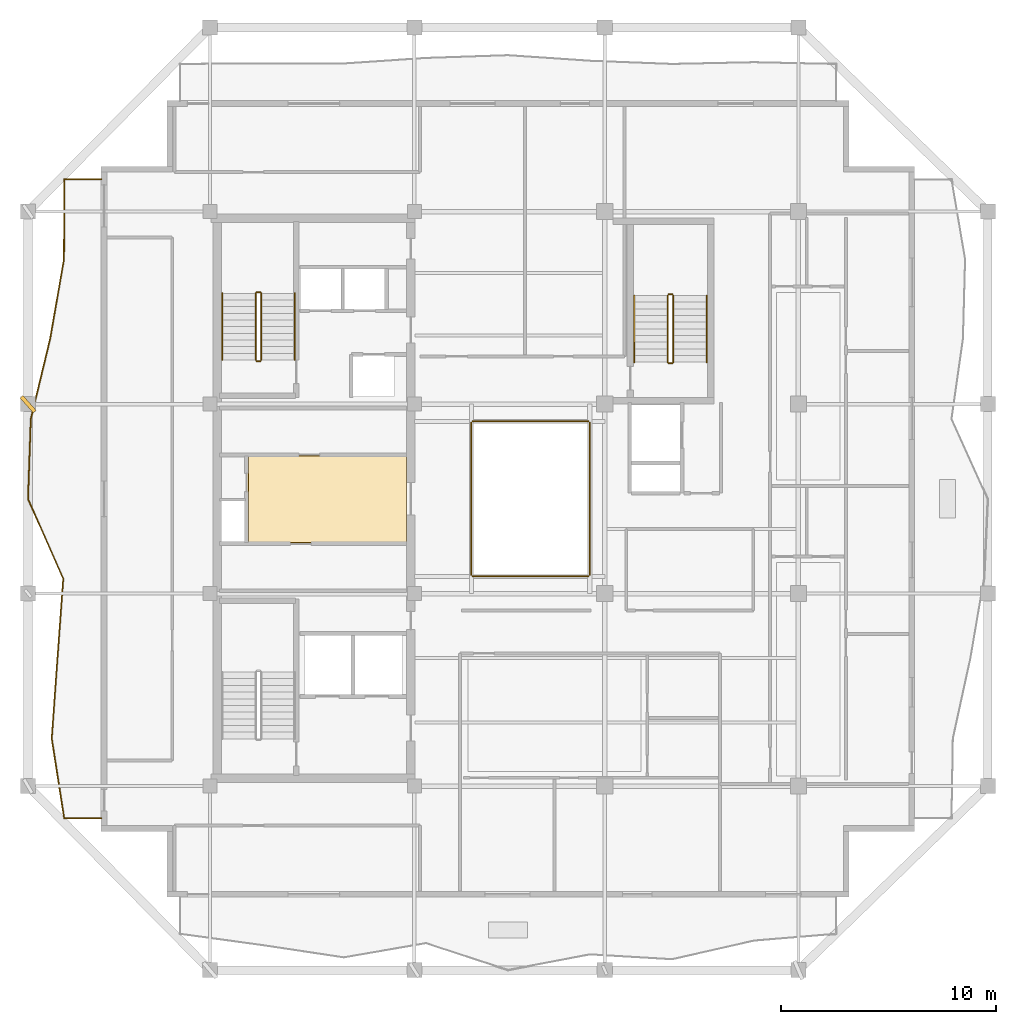
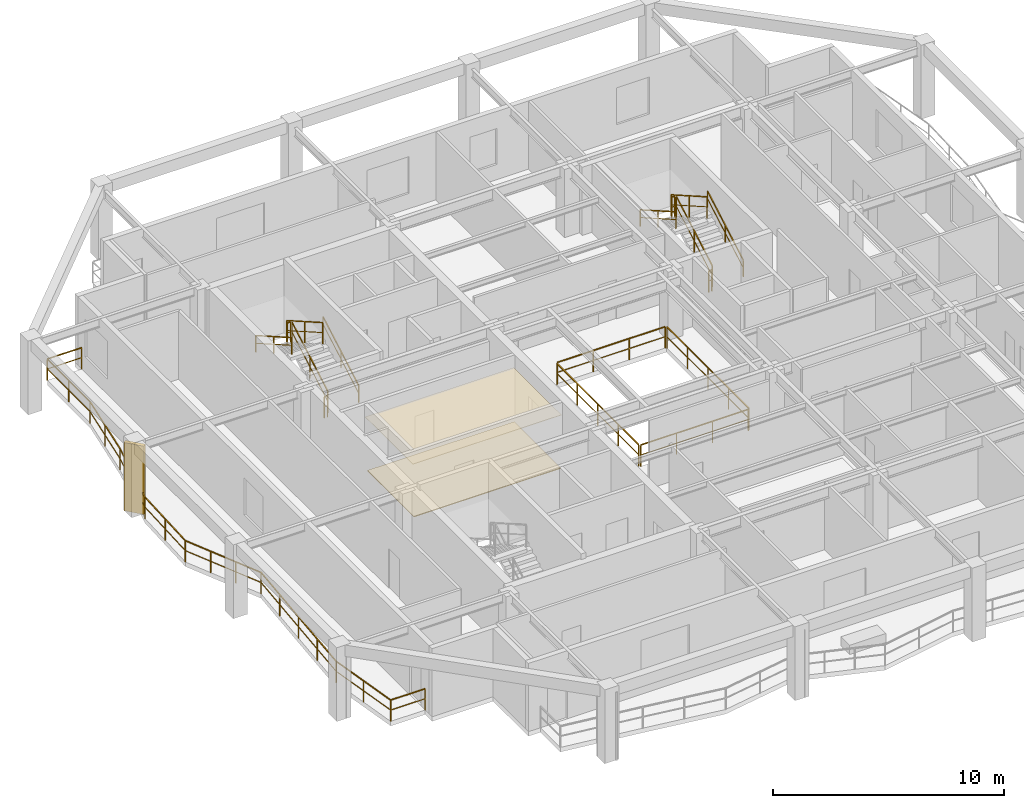
# One storey, part 8 of 10: 17 railings, 2 coverings, 1 shading device.
"""IFC4 building model written with IfcOpenShell, lengths in metres."""

from ifc_helpers import new_model, si_unit, direction, frame, origin, origin_2d, place, context, subcontext, project, spatial, polyline, rectangle, outline, extrude, material, layer, layer_set, type_object, element, save


model = new_model("IFC4")

# Units and contexts
model_context = context("Model", 3, precision=1e-05, world=origin(), true_north=direction((0.0, 1.0)))
body_context = subcontext(model_context, "Body", "Model", "MODEL_VIEW")
ifc_project = project(units=[si_unit("LENGTHUNIT", "METRE"), si_unit("AREAUNIT", "SQUARE_METRE"), si_unit("VOLUMEUNIT", "CUBIC_METRE"), si_unit("PLANEANGLEUNIT", "RADIAN"), si_unit("MASSUNIT", "GRAM", prefix="KILO")], contexts=[model_context])

# Site, building, storey
site_placement = place(None, origin())
site = spatial("IfcSite", under=ifc_project, at=site_placement, CompositionType="ELEMENT")
building_placement = place(site_placement, origin())
building = spatial("IfcBuilding", under=site, at=building_placement, Name="Kundavana Baori Tower", CompositionType="ELEMENT")
storey_placement = place(building_placement, frame((0.0, 0.0, 303.800048828125)))
storey = spatial("IfcBuildingStorey", under=building, at=storey_placement, Name="L75", CompositionType="ELEMENT", Elevation=303.800048828125)

# Coverings
ifc_material_1 = material(Name="Honed Kota Stone and Terrazzo Flooring", Category="masonry")
ifc_layer_1 = layer(ifc_material_1, 0.0400390625, Name="COV-FLR-TERR-40")
ifc_layer_set_1 = layer_set([ifc_layer_1], Name="Honed Kota Stone and Terrazzo Flooring")
covering_type_1 = type_object("IfcCoveringType", Name="COV-FLR-TERR-40", PredefinedType="FLOORING", material=ifc_layer_set_1)
covering_1_placement = place(storey_placement, origin())
element("IfcCovering", 1, at=covering_1_placement, inside=storey, type_object=covering_type_1, Name="L75 Core Lift Lobby Kota Stone Flooring", PredefinedType="FLOORING", context=body_context, shape_type="SweptSolid", body=[
    extrude(outline(polyline([(17.25, 26.580078125), (24.580078125, 26.580078125), (24.580078125, 30.60009765625), (17.25, 30.60009765625), (17.25, 26.580078125)])), origin(), (0.0, 0.0, 1.0), 0.0400390625),
])
ifc_material_2 = material(Name="Perforated Acoustic Mineral Fibre Ceiling Board")
ifc_layer_2 = layer(ifc_material_2, 0.02490234375, Name="COV-INT-CEIL")
ifc_layer_set_2 = layer_set([ifc_layer_2], Name="Perforated Acoustic Mineral Fibre Ceiling Board")
covering_type_2 = type_object("IfcCoveringType", Name="COV-INT-CEIL", PredefinedType="CEILING", material=ifc_layer_set_2)
covering_2_placement = place(storey_placement, frame((0.0, 0.0, 2.849853515625)))
element("IfcCovering", 2, at=covering_2_placement, inside=storey, type_object=covering_type_2, Name="L75 Core Lift Lobby Acoustic Ceiling", PredefinedType="CEILING", context=body_context, shape_type="SweptSolid", body=[
    extrude(outline(polyline([(17.159912109375, 26.52001953125), (24.580078125, 26.52001953125), (24.580078125, 30.639892578125), (17.159912109375, 30.639892578125), (17.159912109375, 26.52001953125)])), origin(), (0.0, 0.0, 1.0), 0.025146484375),
])

# Railings
ifc_material_3 = material(Name="Architectural Patinated Bronze Metalwork")
railing_type_1 = type_object("IfcRailingType", Name="RL-BAL-1150", PredefinedType="BALUSTRADE", material=ifc_material_3)
railing_1_placement = place(storey_placement, frame((10.39990234375, 13.75, 0.0)))
element("IfcRailing", 3, at=railing_1_placement, inside=storey, type_object=railing_type_1, Name="L75 Loggia Balcony Balustrade W", PredefinedType="BALUSTRADE", context=body_context, shape_type="SweptSolid", body=[
    extrude(rectangle(XDim=0.048095703125, YDim=0.048095703125, at=origin_2d()), frame((0.0, 0.0, 1.1259765625), z_axis=(-1.0, 0.0, 0.0), x_axis=(0.0, -1.0, 0.0)), (0.0, 0.0, 1.0), 1.719970703125),
    extrude(rectangle(XDim=0.03125, YDim=0.03125, at=origin_2d()), frame((0.0, 0.0, 0.597900390625), z_axis=(-1.0, 0.0, 0.0), x_axis=(0.0, -1.0, 0.0)), (0.0, 0.0, 1.0), 1.719970703125),
    extrude(rectangle(XDim=0.048095703125, YDim=0.048095703125, at=origin_2d()), frame((-1.719970703125, 0.0, 1.1259765625), z_axis=(-0.154337233035, 0.988018227817, 0.0), x_axis=(-0.988018227817, -0.154337233035, 0.0)), (0.0, 0.0, 1.0), 3.7568359375),
    extrude(rectangle(XDim=0.03125, YDim=0.03125, at=origin_2d()), frame((-1.719970703125, 0.0, 0.597900390625), z_axis=(-0.154337233035, 0.988018227817, 0.0), x_axis=(-0.988018227817, -0.154337233035, 0.0)), (0.0, 0.0, 1.0), 3.7568359375),
    extrude(rectangle(XDim=0.048095703125, YDim=0.048095703125, at=origin_2d()), frame((-2.2998046875, 3.7119140625, 1.1259765625), z_axis=(0.071158494842, 0.997465021247, 0.0), x_axis=(-0.997465021247, 0.071158494842, 0.0)), (0.0, 0.0, 1.0), 3.72265625),
    extrude(rectangle(XDim=0.03125, YDim=0.03125, at=origin_2d()), frame((-2.2998046875, 3.7119140625, 0.597900390625), z_axis=(0.071158494842, 0.997465021247, 0.0), x_axis=(-0.997465021247, 0.071158494842, 0.0)), (0.0, 0.0, 1.0), 3.72265625),
    extrude(rectangle(XDim=0.048095703125, YDim=0.048095703125, at=origin_2d()), frame((-2.034912109375, 7.425048828125, 1.1259765625), z_axis=(0.072794262627, 0.997346978403, 0.0), x_axis=(-0.997346978403, 0.072794262627, 0.0)), (0.0, 0.0, 1.0), 3.72265625),
    extrude(rectangle(XDim=0.03125, YDim=0.03125, at=origin_2d()), frame((-2.034912109375, 7.425048828125, 0.597900390625), z_axis=(0.072794262627, 0.997346978403, 0.0), x_axis=(-0.997346978403, 0.072794262627, 0.0)), (0.0, 0.0, 1.0), 3.72265625),
    extrude(rectangle(XDim=0.048095703125, YDim=0.048095703125, at=origin_2d()), frame((-1.763916015625, 11.137939453125, 1.1259765625), z_axis=(-0.403283089955, 0.915075269776, 0.0), x_axis=(-0.915075269776, -0.403283089955, 0.0)), (0.0, 0.0, 1.0), 4.056640625),
    extrude(rectangle(XDim=0.03125, YDim=0.03125, at=origin_2d()), frame((-1.763916015625, 11.137939453125, 0.597900390625), z_axis=(-0.403283089955, 0.915075269776, 0.0), x_axis=(-0.915075269776, -0.403283089955, 0.0)), (0.0, 0.0, 1.0), 4.056640625),
    extrude(rectangle(XDim=0.048095703125, YDim=0.048095703125, at=origin_2d()), frame((-3.39990234375, 14.85009765625, 1.1259765625), z_axis=(0.034706781121, 0.999397538192, 0.0), x_axis=(-0.999397538192, 0.034706781121, 0.0)), (0.0, 0.0, 1.0), 3.714111328125),
    extrude(rectangle(XDim=0.03125, YDim=0.03125, at=origin_2d()), frame((-3.39990234375, 14.85009765625, 0.597900390625), z_axis=(0.034706781121, 0.999397538192, 0.0), x_axis=(-0.999397538192, 0.034706781121, 0.0)), (0.0, 0.0, 1.0), 3.714111328125),
    extrude(rectangle(XDim=0.048095703125, YDim=0.048095703125, at=origin_2d()), frame((-3.27099609375, 18.56201171875, 1.1259765625), z_axis=(0.234344748851, 0.972153557153, 0.0), x_axis=(-0.972153557153, 0.234344748851, 0.0)), (0.0, 0.0, 1.0), 3.8193359375),
    extrude(rectangle(XDim=0.03125, YDim=0.03125, at=origin_2d()), frame((-3.27099609375, 18.56201171875, 0.597900390625), z_axis=(0.234344748851, 0.972153557153, 0.0), x_axis=(-0.972153557153, 0.234344748851, 0.0)), (0.0, 0.0, 1.0), 3.8193359375),
    extrude(rectangle(XDim=0.048095703125, YDim=0.048095703125, at=origin_2d()), frame((-2.3759765625, 22.27490234375, 1.1259765625), z_axis=(0.171401316496, 0.985201293495, 0.0), x_axis=(-0.985201293495, 0.171401316496, 0.0)), (0.0, 0.0, 1.0), 3.768798828125),
    extrude(rectangle(XDim=0.03125, YDim=0.03125, at=origin_2d()), frame((-2.3759765625, 22.27490234375, 0.597900390625), z_axis=(0.171401316496, 0.985201293495, 0.0), x_axis=(-0.985201293495, 0.171401316496, 0.0)), (0.0, 0.0, 1.0), 3.768798828125),
    extrude(rectangle(XDim=0.048095703125, YDim=0.048095703125, at=origin_2d()), frame((-1.72998046875, 25.988037109375, 1.1259765625), z_axis=(0.002696648969, 0.999996364036, 0.0), x_axis=(-0.999996364036, 0.002696648969, 0.0)), (0.0, 0.0, 1.0), 3.7119140625),
    extrude(rectangle(XDim=0.03125, YDim=0.03125, at=origin_2d()), frame((-1.72998046875, 25.988037109375, 0.597900390625), z_axis=(0.002696648969, 0.999996364036, 0.0), x_axis=(-0.999996364036, 0.002696648969, 0.0)), (0.0, 0.0, 1.0), 3.7119140625),
    extrude(rectangle(XDim=0.048095703125, YDim=0.048095703125, at=origin_2d()), frame((-1.719970703125, 29.699951171875, 1.1259765625), z_axis=(1.0, 0.0, 0.0), x_axis=(0.0, 1.0, 0.0)), (0.0, 0.0, 1.0), 1.719970703125),
    extrude(rectangle(XDim=0.03125, YDim=0.03125, at=origin_2d()), frame((-1.719970703125, 29.699951171875, 0.597900390625), z_axis=(1.0, 0.0, 0.0), x_axis=(0.0, 1.0, 0.0)), (0.0, 0.0, 1.0), 1.719970703125),
    extrude(rectangle(XDim=0.0419921875, YDim=0.0419921875, at=origin_2d()), origin(), (0.0, 0.0, 1.0), 1.101806640625),
    extrude(rectangle(XDim=0.0419921875, YDim=0.0419921875, at=origin_2d()), frame((-1.719970703125, 0.0, 0.0)), (0.0, 0.0, 1.0), 1.101806640625),
    extrude(rectangle(XDim=0.0419921875, YDim=0.0419921875, at=origin_2d()), frame((-2.009765625, 1.85595703125, 0.0)), (0.0, 0.0, 1.0), 1.101806640625),
    extrude(rectangle(XDim=0.0419921875, YDim=0.0419921875, at=origin_2d()), frame((-2.2998046875, 3.7119140625, 0.0)), (0.0, 0.0, 1.0), 1.101806640625),
    extrude(rectangle(XDim=0.0419921875, YDim=0.0419921875, at=origin_2d()), frame((-2.16748046875, 5.568359375, 0.0)), (0.0, 0.0, 1.0), 1.101806640625),
    extrude(rectangle(XDim=0.0419921875, YDim=0.0419921875, at=origin_2d()), frame((-2.034912109375, 7.425048828125, 0.0)), (0.0, 0.0, 1.0), 1.101806640625),
    extrude(rectangle(XDim=0.0419921875, YDim=0.0419921875, at=origin_2d()), frame((-1.8994140625, 9.281494140625, 0.0)), (0.0, 0.0, 1.0), 1.101806640625),
    extrude(rectangle(XDim=0.0419921875, YDim=0.0419921875, at=origin_2d()), frame((-1.763916015625, 11.137939453125, 0.0)), (0.0, 0.0, 1.0), 1.101806640625),
    extrude(rectangle(XDim=0.0419921875, YDim=0.0419921875, at=origin_2d()), frame((-2.309326171875, 12.375244140625, 0.0)), (0.0, 0.0, 1.0), 1.101806640625),
    extrude(rectangle(XDim=0.0419921875, YDim=0.0419921875, at=origin_2d()), frame((-2.8544921875, 13.61279296875, 0.0)), (0.0, 0.0, 1.0), 1.101806640625),
    extrude(rectangle(XDim=0.0419921875, YDim=0.0419921875, at=origin_2d()), frame((-3.39990234375, 14.85009765625, 0.0)), (0.0, 0.0, 1.0), 1.101806640625),
    extrude(rectangle(XDim=0.0419921875, YDim=0.0419921875, at=origin_2d()), frame((-3.33544921875, 16.7060546875, 0.0)), (0.0, 0.0, 1.0), 1.101806640625),
    extrude(rectangle(XDim=0.0419921875, YDim=0.0419921875, at=origin_2d()), frame((-3.27099609375, 18.56201171875, 0.0)), (0.0, 0.0, 1.0), 1.101806640625),
    extrude(rectangle(XDim=0.0419921875, YDim=0.0419921875, at=origin_2d()), frame((-2.823486328125, 20.41845703125, 0.0)), (0.0, 0.0, 1.0), 1.101806640625),
    extrude(rectangle(XDim=0.0419921875, YDim=0.0419921875, at=origin_2d()), frame((-2.3759765625, 22.27490234375, 0.0)), (0.0, 0.0, 1.0), 1.101806640625),
    extrude(rectangle(XDim=0.0419921875, YDim=0.0419921875, at=origin_2d()), frame((-2.052978515625, 24.13134765625, 0.0)), (0.0, 0.0, 1.0), 1.101806640625),
    extrude(rectangle(XDim=0.0419921875, YDim=0.0419921875, at=origin_2d()), frame((-1.72998046875, 25.988037109375, 0.0)), (0.0, 0.0, 1.0), 1.101806640625),
    extrude(rectangle(XDim=0.0419921875, YDim=0.0419921875, at=origin_2d()), frame((-1.72509765625, 27.843994140625, 0.0)), (0.0, 0.0, 1.0), 1.101806640625),
    extrude(rectangle(XDim=0.0419921875, YDim=0.0419921875, at=origin_2d()), frame((-1.719970703125, 29.699951171875, 0.0)), (0.0, 0.0, 1.0), 1.101806640625),
    extrude(rectangle(XDim=0.0419921875, YDim=0.0419921875, at=origin_2d()), frame((0.0, 29.699951171875, 0.0)), (0.0, 0.0, 1.0), 1.101806640625),
])
ifc_material_4 = material(Name="Architectural Patinated Bronze Metalwork")
railing_type_2 = type_object("IfcRailingType", Name="RL-GRD-1150", PredefinedType="GUARDRAIL", material=ifc_material_4)
railing_2_placement = place(storey_placement, frame((17.840087890625, 35.050048828125, 0.17724609375)))
element("IfcRailing", 4, at=railing_2_placement, inside=storey, type_object=railing_type_2, Name="L75 ST2 stair guard 1", PredefinedType="GUARDRAIL", context=body_context, shape_type="SweptSolid", body=[
    extrude(rectangle(XDim=0.048095703125, YDim=0.048095703125, at=origin_2d()), frame((0.0, 0.0, 1.1259765625), z_axis=(0.0, 0.868079009454, 0.496426060301), x_axis=(-1.0, 0.0, 0.0)), (0.0, 0.0, 1.0), 3.571044921875),
    extrude(rectangle(XDim=0.03125, YDim=0.03125, at=origin_2d()), frame((0.0, 0.0, 0.597900390625), z_axis=(0.0, 0.868079009454, 0.496426060301), x_axis=(-1.0, 0.0, 0.0)), (0.0, 0.0, 1.0), 3.571044921875),
    extrude(rectangle(XDim=0.0419921875, YDim=0.0419921875, at=origin_2d()), origin(), (0.0, 0.0, 1.0), 1.101806640625),
    extrude(rectangle(XDim=0.0419921875, YDim=0.0419921875, at=origin_2d()), frame((0.0, 1.5498046875, 0.88623046875)), (0.0, 0.0, 1.0), 1.101806640625),
    extrude(rectangle(XDim=0.0419921875, YDim=0.0419921875, at=origin_2d()), frame((0.0, 3.099853515625, 1.772705078125)), (0.0, 0.0, 1.0), 1.101806640625),
])
railing_3_placement = place(storey_placement, frame((17.7900390625, 38.199951171875, 1.949951171875)))
element("IfcRailing", 5, at=railing_3_placement, inside=storey, type_object=railing_type_2, Name="L75 ST2 stair guard 2", PredefinedType="GUARDRAIL", context=body_context, shape_type="SweptSolid", body=[
    extrude(rectangle(XDim=0.048095703125, YDim=0.048095703125, at=origin_2d()), frame((0.0, 0.0, 1.1259765625), z_axis=(-1.0, 0.0, 0.0), x_axis=(0.0, -1.0, 0.0)), (0.0, 0.0, 1.0), 0.16015625),
    extrude(rectangle(XDim=0.03125, YDim=0.03125, at=origin_2d()), frame((0.0, 0.0, 0.597900390625), z_axis=(-1.0, 0.0, 0.0), x_axis=(0.0, -1.0, 0.0)), (0.0, 0.0, 1.0), 0.16015625),
    extrude(rectangle(XDim=0.0419921875, YDim=0.0419921875, at=origin_2d()), origin(), (0.0, 0.0, 1.0), 1.101806640625),
    extrude(rectangle(XDim=0.0419921875, YDim=0.0419921875, at=origin_2d()), frame((-0.16015625, 0.0, 0.0)), (0.0, 0.0, 1.0), 1.101806640625),
])
railing_4_placement = place(storey_placement, frame((17.580078125, 38.14990234375, 2.127197265625)))
element("IfcRailing", 6, at=railing_4_placement, inside=storey, type_object=railing_type_2, Name="L75 ST2 stair guard 3", PredefinedType="GUARDRAIL", context=body_context, shape_type="SweptSolid", body=[
    extrude(rectangle(XDim=0.048095703125, YDim=0.048095703125, at=origin_2d()), frame((0.0, 0.0, 1.1259765625), z_axis=(0.0, -0.868079009454, 0.496426060301), x_axis=(1.0, 0.0, 0.0)), (0.0, 0.0, 1.0), 3.571044921875),
    extrude(rectangle(XDim=0.03125, YDim=0.03125, at=origin_2d()), frame((0.0, 0.0, 0.597900390625), z_axis=(0.0, -0.868079009454, 0.496426060301), x_axis=(1.0, 0.0, 0.0)), (0.0, 0.0, 1.0), 3.571044921875),
    extrude(rectangle(XDim=0.0419921875, YDim=0.0419921875, at=origin_2d()), origin(), (0.0, 0.0, 1.0), 1.101806640625),
    extrude(rectangle(XDim=0.0419921875, YDim=0.0419921875, at=origin_2d()), frame((0.0, -1.5498046875, 0.88623046875)), (0.0, 0.0, 1.0), 1.101806640625),
    extrude(rectangle(XDim=0.0419921875, YDim=0.0419921875, at=origin_2d()), frame((0.0, -3.099853515625, 1.772705078125)), (0.0, 0.0, 1.0), 1.101806640625),
])
railing_5_placement = place(storey_placement, frame((17.7900390625, 35.0, 0.0)))
element("IfcRailing", 7, at=railing_5_placement, inside=storey, type_object=railing_type_2, Name="L75 ST2 stair guard 4", PredefinedType="GUARDRAIL", context=body_context, shape_type="SweptSolid", body=[
    extrude(rectangle(XDim=0.048095703125, YDim=0.048095703125, at=origin_2d()), frame((0.0, 0.0, 1.1259765625), z_axis=(-1.0, 0.0, 0.0), x_axis=(0.0, -1.0, 0.0)), (0.0, 0.0, 1.0), 0.16015625),
    extrude(rectangle(XDim=0.03125, YDim=0.03125, at=origin_2d()), frame((0.0, 0.0, 0.597900390625), z_axis=(-1.0, 0.0, 0.0), x_axis=(0.0, -1.0, 0.0)), (0.0, 0.0, 1.0), 0.16015625),
    extrude(rectangle(XDim=0.0419921875, YDim=0.0419921875, at=origin_2d()), origin(), (0.0, 0.0, 1.0), 1.101806640625),
    extrude(rectangle(XDim=0.0419921875, YDim=0.0419921875, at=origin_2d()), frame((-0.16015625, 0.0, 0.0)), (0.0, 0.0, 1.0), 1.101806640625),
])
railing_6_placement = place(storey_placement, frame((36.97998046875, 34.949951171875, 0.17724609375)))
element("IfcRailing", 8, at=railing_6_placement, inside=storey, type_object=railing_type_2, Name="L75 ST3 stair guard 1", PredefinedType="GUARDRAIL", context=body_context, shape_type="SweptSolid", body=[
    extrude(rectangle(XDim=0.048095703125, YDim=0.048095703125, at=origin_2d()), frame((0.0, 0.0, 1.1259765625), z_axis=(0.0, 0.868095856688, 0.496396599103), x_axis=(-1.0, 0.0, 0.0)), (0.0, 0.0, 1.0), 3.571044921875),
    extrude(rectangle(XDim=0.03125, YDim=0.03125, at=origin_2d()), frame((0.0, 0.0, 0.597900390625), z_axis=(0.0, 0.868095856688, 0.496396599103), x_axis=(-1.0, 0.0, 0.0)), (0.0, 0.0, 1.0), 3.571044921875),
    extrude(rectangle(XDim=0.0419921875, YDim=0.0419921875, at=origin_2d()), origin(), (0.0, 0.0, 1.0), 1.101806640625),
    extrude(rectangle(XDim=0.0419921875, YDim=0.0419921875, at=origin_2d()), frame((0.0, 1.550048828125, 0.88623046875)), (0.0, 0.0, 1.0), 1.101806640625),
    extrude(rectangle(XDim=0.0419921875, YDim=0.0419921875, at=origin_2d()), frame((0.0, 3.10009765625, 1.772705078125)), (0.0, 0.0, 1.0), 1.101806640625),
])
railing_7_placement = place(storey_placement, frame((36.929931640625, 38.10009765625, 1.949951171875)))
element("IfcRailing", 9, at=railing_7_placement, inside=storey, type_object=railing_type_2, Name="L75 ST3 stair guard 2", PredefinedType="GUARDRAIL", context=body_context, shape_type="SweptSolid", body=[
    extrude(rectangle(XDim=0.048095703125, YDim=0.048095703125, at=origin_2d()), frame((0.0, 0.0, 1.1259765625), z_axis=(-1.0, 0.0, 0.0), x_axis=(0.0, -1.0, 0.0)), (0.0, 0.0, 1.0), 0.159912109375),
    extrude(rectangle(XDim=0.03125, YDim=0.03125, at=origin_2d()), frame((0.0, 0.0, 0.597900390625), z_axis=(-1.0, 0.0, 0.0), x_axis=(0.0, -1.0, 0.0)), (0.0, 0.0, 1.0), 0.159912109375),
    extrude(rectangle(XDim=0.0419921875, YDim=0.0419921875, at=origin_2d()), origin(), (0.0, 0.0, 1.0), 1.101806640625),
    extrude(rectangle(XDim=0.0419921875, YDim=0.0419921875, at=origin_2d()), frame((-0.159912109375, 0.0, 0.0)), (0.0, 0.0, 1.0), 1.101806640625),
])
railing_8_placement = place(storey_placement, frame((36.719970703125, 38.050048828125, 2.127197265625)))
element("IfcRailing", 10, at=railing_8_placement, inside=storey, type_object=railing_type_2, Name="L75 ST3 stair guard 3", PredefinedType="GUARDRAIL", context=body_context, shape_type="SweptSolid", body=[
    extrude(rectangle(XDim=0.048095703125, YDim=0.048095703125, at=origin_2d()), frame((0.0, 0.0, 1.1259765625), z_axis=(0.0, -0.868095856688, 0.496396599103), x_axis=(1.0, 0.0, 0.0)), (0.0, 0.0, 1.0), 3.571044921875),
    extrude(rectangle(XDim=0.03125, YDim=0.03125, at=origin_2d()), frame((0.0, 0.0, 0.597900390625), z_axis=(0.0, -0.868095856688, 0.496396599103), x_axis=(1.0, 0.0, 0.0)), (0.0, 0.0, 1.0), 3.571044921875),
    extrude(rectangle(XDim=0.0419921875, YDim=0.0419921875, at=origin_2d()), origin(), (0.0, 0.0, 1.0), 1.101806640625),
    extrude(rectangle(XDim=0.0419921875, YDim=0.0419921875, at=origin_2d()), frame((0.0, -1.550048828125, 0.88623046875)), (0.0, 0.0, 1.0), 1.101806640625),
    extrude(rectangle(XDim=0.0419921875, YDim=0.0419921875, at=origin_2d()), frame((0.0, -3.10009765625, 1.772705078125)), (0.0, 0.0, 1.0), 1.101806640625),
])
railing_9_placement = place(storey_placement, frame((36.929931640625, 34.89990234375, 0.0)))
element("IfcRailing", 11, at=railing_9_placement, inside=storey, type_object=railing_type_2, Name="L75 ST3 stair guard 4", PredefinedType="GUARDRAIL", context=body_context, shape_type="SweptSolid", body=[
    extrude(rectangle(XDim=0.048095703125, YDim=0.048095703125, at=origin_2d()), frame((0.0, 0.0, 1.1259765625), z_axis=(-1.0, 0.0, 0.0), x_axis=(0.0, -1.0, 0.0)), (0.0, 0.0, 1.0), 0.159912109375),
    extrude(rectangle(XDim=0.03125, YDim=0.03125, at=origin_2d()), frame((0.0, 0.0, 0.597900390625), z_axis=(-1.0, 0.0, 0.0), x_axis=(0.0, -1.0, 0.0)), (0.0, 0.0, 1.0), 0.159912109375),
    extrude(rectangle(XDim=0.0419921875, YDim=0.0419921875, at=origin_2d()), origin(), (0.0, 0.0, 1.0), 1.101806640625),
    extrude(rectangle(XDim=0.0419921875, YDim=0.0419921875, at=origin_2d()), frame((-0.159912109375, 0.0, 0.0)), (0.0, 0.0, 1.0), 1.101806640625),
])
railing_10_placement = place(storey_placement, frame((27.659912109375, 25.0, 0.0)))
element("IfcRailing", 12, at=railing_10_placement, inside=storey, type_object=railing_type_2, Name="L75 Atrium Void Perimeter Guardrail S", PredefinedType="GUARDRAIL", context=body_context, shape_type="SweptSolid", body=[
    extrude(rectangle(XDim=0.048095703125, YDim=0.048095703125, at=origin_2d()), frame((0.0, 0.0, 1.1259765625), z_axis=(1.0, 0.0, 0.0), x_axis=(0.0, 1.0, 0.0)), (0.0, 0.0, 1.0), 5.380126953125),
    extrude(rectangle(XDim=0.03125, YDim=0.03125, at=origin_2d()), frame((0.0, 0.0, 0.597900390625), z_axis=(1.0, 0.0, 0.0), x_axis=(0.0, 1.0, 0.0)), (0.0, 0.0, 1.0), 5.380126953125),
    extrude(rectangle(XDim=0.0419921875, YDim=0.0419921875, at=origin_2d()), origin(), (0.0, 0.0, 1.0), 1.101806640625),
    extrude(rectangle(XDim=0.0419921875, YDim=0.0419921875, at=origin_2d()), frame((1.79345703125, 0.0, 0.0)), (0.0, 0.0, 1.0), 1.101806640625),
    extrude(rectangle(XDim=0.0419921875, YDim=0.0419921875, at=origin_2d()), frame((3.586669921875, 0.0, 0.0)), (0.0, 0.0, 1.0), 1.101806640625),
    extrude(rectangle(XDim=0.0419921875, YDim=0.0419921875, at=origin_2d()), frame((5.380126953125, 0.0, 0.0)), (0.0, 0.0, 1.0), 1.101806640625),
])
railing_11_placement = place(storey_placement, frame((33.10009765625, 25.06005859375, 0.0)))
element("IfcRailing", 13, at=railing_11_placement, inside=storey, type_object=railing_type_2, Name="L75 Atrium Void Perimeter Guardrail E", PredefinedType="GUARDRAIL", context=body_context, shape_type="SweptSolid", body=[
    extrude(rectangle(XDim=0.048095703125, YDim=0.048095703125, at=origin_2d()), frame((0.0, 0.0, 1.1259765625), z_axis=(0.0, 1.0, 0.0), x_axis=(-1.0, 0.0, 0.0)), (0.0, 0.0, 1.0), 7.079833984375),
    extrude(rectangle(XDim=0.03125, YDim=0.03125, at=origin_2d()), frame((0.0, 0.0, 0.597900390625), z_axis=(0.0, 1.0, 0.0), x_axis=(-1.0, 0.0, 0.0)), (0.0, 0.0, 1.0), 7.079833984375),
    extrude(rectangle(XDim=0.0419921875, YDim=0.0419921875, at=origin_2d()), origin(), (0.0, 0.0, 1.0), 1.101806640625),
    extrude(rectangle(XDim=0.0419921875, YDim=0.0419921875, at=origin_2d()), frame((0.0, 1.77001953125, 0.0)), (0.0, 0.0, 1.0), 1.101806640625),
    extrude(rectangle(XDim=0.0419921875, YDim=0.0419921875, at=origin_2d()), frame((0.0, 3.5400390625, 0.0)), (0.0, 0.0, 1.0), 1.101806640625),
    extrude(rectangle(XDim=0.0419921875, YDim=0.0419921875, at=origin_2d()), frame((0.0, 5.309814453125, 0.0)), (0.0, 0.0, 1.0), 1.101806640625),
    extrude(rectangle(XDim=0.0419921875, YDim=0.0419921875, at=origin_2d()), frame((0.0, 7.079833984375, 0.0)), (0.0, 0.0, 1.0), 1.101806640625),
])
railing_12_placement = place(storey_placement, frame((33.0400390625, 32.199951171875, 0.0)))
element("IfcRailing", 14, at=railing_12_placement, inside=storey, type_object=railing_type_2, Name="L75 Atrium Void Perimeter Guardrail N", PredefinedType="GUARDRAIL", context=body_context, shape_type="SweptSolid", body=[
    extrude(rectangle(XDim=0.048095703125, YDim=0.048095703125, at=origin_2d()), frame((0.0, 0.0, 1.1259765625), z_axis=(-1.0, 0.0, 0.0), x_axis=(0.0, -1.0, 0.0)), (0.0, 0.0, 1.0), 5.380126953125),
    extrude(rectangle(XDim=0.03125, YDim=0.03125, at=origin_2d()), frame((0.0, 0.0, 0.597900390625), z_axis=(-1.0, 0.0, 0.0), x_axis=(0.0, -1.0, 0.0)), (0.0, 0.0, 1.0), 5.380126953125),
    extrude(rectangle(XDim=0.0419921875, YDim=0.0419921875, at=origin_2d()), origin(), (0.0, 0.0, 1.0), 1.101806640625),
    extrude(rectangle(XDim=0.0419921875, YDim=0.0419921875, at=origin_2d()), frame((-1.79345703125, 0.0, 0.0)), (0.0, 0.0, 1.0), 1.101806640625),
    extrude(rectangle(XDim=0.0419921875, YDim=0.0419921875, at=origin_2d()), frame((-3.586669921875, 0.0, 0.0)), (0.0, 0.0, 1.0), 1.101806640625),
    extrude(rectangle(XDim=0.0419921875, YDim=0.0419921875, at=origin_2d()), frame((-5.380126953125, 0.0, 0.0)), (0.0, 0.0, 1.0), 1.101806640625),
])
railing_13_placement = place(storey_placement, frame((27.60009765625, 32.139892578125, 0.0)))
element("IfcRailing", 15, at=railing_13_placement, inside=storey, type_object=railing_type_2, Name="L75 Atrium Void Perimeter Guardrail W", PredefinedType="GUARDRAIL", context=body_context, shape_type="SweptSolid", body=[
    extrude(rectangle(XDim=0.048095703125, YDim=0.048095703125, at=origin_2d()), frame((0.0, 0.0, 1.1259765625), z_axis=(0.0, -1.0, 0.0), x_axis=(1.0, 0.0, 0.0)), (0.0, 0.0, 1.0), 7.079833984375),
    extrude(rectangle(XDim=0.03125, YDim=0.03125, at=origin_2d()), frame((0.0, 0.0, 0.597900390625), z_axis=(0.0, -1.0, 0.0), x_axis=(1.0, 0.0, 0.0)), (0.0, 0.0, 1.0), 7.079833984375),
    extrude(rectangle(XDim=0.0419921875, YDim=0.0419921875, at=origin_2d()), origin(), (0.0, 0.0, 1.0), 1.101806640625),
    extrude(rectangle(XDim=0.0419921875, YDim=0.0419921875, at=origin_2d()), frame((0.0, -1.77001953125, 0.0)), (0.0, 0.0, 1.0), 1.101806640625),
    extrude(rectangle(XDim=0.0419921875, YDim=0.0419921875, at=origin_2d()), frame((0.0, -3.5400390625, 0.0)), (0.0, 0.0, 1.0), 1.101806640625),
    extrude(rectangle(XDim=0.0419921875, YDim=0.0419921875, at=origin_2d()), frame((0.0, -5.309814453125, 0.0)), (0.0, 0.0, 1.0), 1.101806640625),
    extrude(rectangle(XDim=0.0419921875, YDim=0.0419921875, at=origin_2d()), frame((0.0, -7.079833984375, 0.0)), (0.0, 0.0, 1.0), 1.101806640625),
])
ifc_material_5 = material(Name="Architectural Patinated Bronze Metalwork")
railing_type_3 = type_object("IfcRailingType", Name="RL-HND-920", PredefinedType="HANDRAIL", material=ifc_material_5)
railing_14_placement = place(storey_placement, frame((19.389892578125, 35.050048828125, 0.17724609375)))
element("IfcRailing", 16, at=railing_14_placement, inside=storey, type_object=railing_type_3, Name="L75 ST2 stair handrail 1", PredefinedType="HANDRAIL", context=body_context, shape_type="SweptSolid", body=[
    extrude(rectangle(XDim=0.048095703125, YDim=0.048095703125, at=origin_2d()), frame((0.0, 0.0, 0.8759765625), z_axis=(0.0, 0.868079009454, 0.496426060301), x_axis=(-1.0, 0.0, 0.0)), (0.0, 0.0, 1.0), 3.571044921875),
    extrude(rectangle(XDim=0.03125, YDim=0.03125, at=origin_2d()), frame((0.0, 0.0, 0.468017578125), z_axis=(0.0, 0.868079009454, 0.496426060301), x_axis=(-1.0, 0.0, 0.0)), (0.0, 0.0, 1.0), 3.571044921875),
    extrude(rectangle(XDim=0.0419921875, YDim=0.0419921875, at=origin_2d()), origin(), (0.0, 0.0, 1.0), 0.851806640625),
    extrude(rectangle(XDim=0.0419921875, YDim=0.0419921875, at=origin_2d()), frame((0.0, 1.5498046875, 0.88623046875)), (0.0, 0.0, 1.0), 0.851806640625),
    extrude(rectangle(XDim=0.0419921875, YDim=0.0419921875, at=origin_2d()), frame((0.0, 3.099853515625, 1.772705078125)), (0.0, 0.0, 1.0), 0.851806640625),
])
railing_15_placement = place(storey_placement, frame((16.030029296875, 38.14990234375, 2.127197265625)))
element("IfcRailing", 17, at=railing_15_placement, inside=storey, type_object=railing_type_3, Name="L75 ST2 stair handrail 2", PredefinedType="HANDRAIL", context=body_context, shape_type="SweptSolid", body=[
    extrude(rectangle(XDim=0.048095703125, YDim=0.048095703125, at=origin_2d()), frame((0.0, 0.0, 0.8759765625), z_axis=(0.0, -0.868079009454, 0.496426060301), x_axis=(1.0, 0.0, 0.0)), (0.0, 0.0, 1.0), 3.571044921875),
    extrude(rectangle(XDim=0.03125, YDim=0.03125, at=origin_2d()), frame((0.0, 0.0, 0.468017578125), z_axis=(0.0, -0.868079009454, 0.496426060301), x_axis=(1.0, 0.0, 0.0)), (0.0, 0.0, 1.0), 3.571044921875),
    extrude(rectangle(XDim=0.0419921875, YDim=0.0419921875, at=origin_2d()), origin(), (0.0, 0.0, 1.0), 0.851806640625),
    extrude(rectangle(XDim=0.0419921875, YDim=0.0419921875, at=origin_2d()), frame((0.0, -1.5498046875, 0.88623046875)), (0.0, 0.0, 1.0), 0.851806640625),
    extrude(rectangle(XDim=0.0419921875, YDim=0.0419921875, at=origin_2d()), frame((0.0, -3.099853515625, 1.772705078125)), (0.0, 0.0, 1.0), 0.851806640625),
])
railing_16_placement = place(storey_placement, frame((38.530029296875, 34.949951171875, 0.17724609375)))
element("IfcRailing", 18, at=railing_16_placement, inside=storey, type_object=railing_type_3, Name="L75 ST3 stair handrail 1", PredefinedType="HANDRAIL", context=body_context, shape_type="SweptSolid", body=[
    extrude(rectangle(XDim=0.048095703125, YDim=0.048095703125, at=origin_2d()), frame((0.0, 0.0, 0.8759765625), z_axis=(0.0, 0.868095856688, 0.496396599103), x_axis=(-1.0, 0.0, 0.0)), (0.0, 0.0, 1.0), 3.571044921875),
    extrude(rectangle(XDim=0.03125, YDim=0.03125, at=origin_2d()), frame((0.0, 0.0, 0.468017578125), z_axis=(0.0, 0.868095856688, 0.496396599103), x_axis=(-1.0, 0.0, 0.0)), (0.0, 0.0, 1.0), 3.571044921875),
    extrude(rectangle(XDim=0.0419921875, YDim=0.0419921875, at=origin_2d()), origin(), (0.0, 0.0, 1.0), 0.851806640625),
    extrude(rectangle(XDim=0.0419921875, YDim=0.0419921875, at=origin_2d()), frame((0.0, 1.550048828125, 0.88623046875)), (0.0, 0.0, 1.0), 0.851806640625),
    extrude(rectangle(XDim=0.0419921875, YDim=0.0419921875, at=origin_2d()), frame((0.0, 3.10009765625, 1.772705078125)), (0.0, 0.0, 1.0), 0.851806640625),
])
railing_17_placement = place(storey_placement, frame((35.169921875, 38.050048828125, 2.127197265625)))
element("IfcRailing", 19, at=railing_17_placement, inside=storey, type_object=railing_type_3, Name="L75 ST3 stair handrail 2", PredefinedType="HANDRAIL", context=body_context, shape_type="SweptSolid", body=[
    extrude(rectangle(XDim=0.048095703125, YDim=0.048095703125, at=origin_2d()), frame((0.0, 0.0, 0.8759765625), z_axis=(0.0, -0.868095856688, 0.496396599103), x_axis=(1.0, 0.0, 0.0)), (0.0, 0.0, 1.0), 3.571044921875),
    extrude(rectangle(XDim=0.03125, YDim=0.03125, at=origin_2d()), frame((0.0, 0.0, 0.468017578125), z_axis=(0.0, -0.868095856688, 0.496396599103), x_axis=(1.0, 0.0, 0.0)), (0.0, 0.0, 1.0), 3.571044921875),
    extrude(rectangle(XDim=0.0419921875, YDim=0.0419921875, at=origin_2d()), origin(), (0.0, 0.0, 1.0), 0.851806640625),
    extrude(rectangle(XDim=0.0419921875, YDim=0.0419921875, at=origin_2d()), frame((0.0, -1.550048828125, 0.88623046875)), (0.0, 0.0, 1.0), 0.851806640625),
    extrude(rectangle(XDim=0.0419921875, YDim=0.0419921875, at=origin_2d()), frame((0.0, -3.10009765625, 1.772705078125)), (0.0, 0.0, 1.0), 0.851806640625),
])

# Shading device
ifc_material_6 = material(Name="Red-Buff Dholpur Sandstone Cladding on Concrete C40/50", Category="masonry")
shading_device_type = type_object("IfcShadingDeviceType", Name="SHD-FIN-920", PredefinedType="JALOUSIE", material=ifc_material_6)
shading_device_placement = place(storey_placement, frame((7.0, 33.0, 0.0), z_axis=(0.0, 0.0, 1.0), x_axis=(0.747102418695, 0.6647089408, 0.0)))
element("IfcShadingDevice", 20, at=shading_device_placement, inside=storey, type_object=shading_device_type, Name="L75 Sweeping Dholpur Sandstone Facade Fin 7", PredefinedType="JALOUSIE", context=body_context, shape_type="SweptSolid", body=[
    extrude(rectangle(XDim=0.179931640625, YDim=0.919921875, at=origin_2d()), origin(), (0.0, 0.0, 1.0), 3.60009765625),
])

save(model, "model.ifc")
